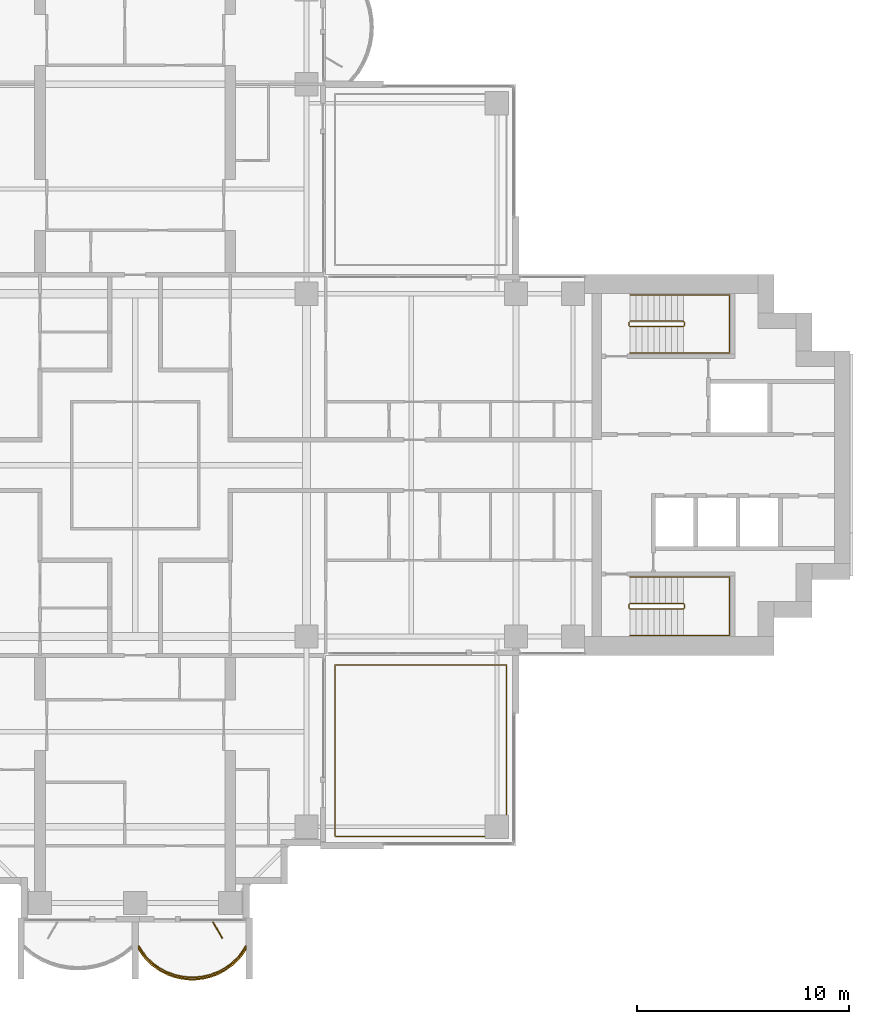
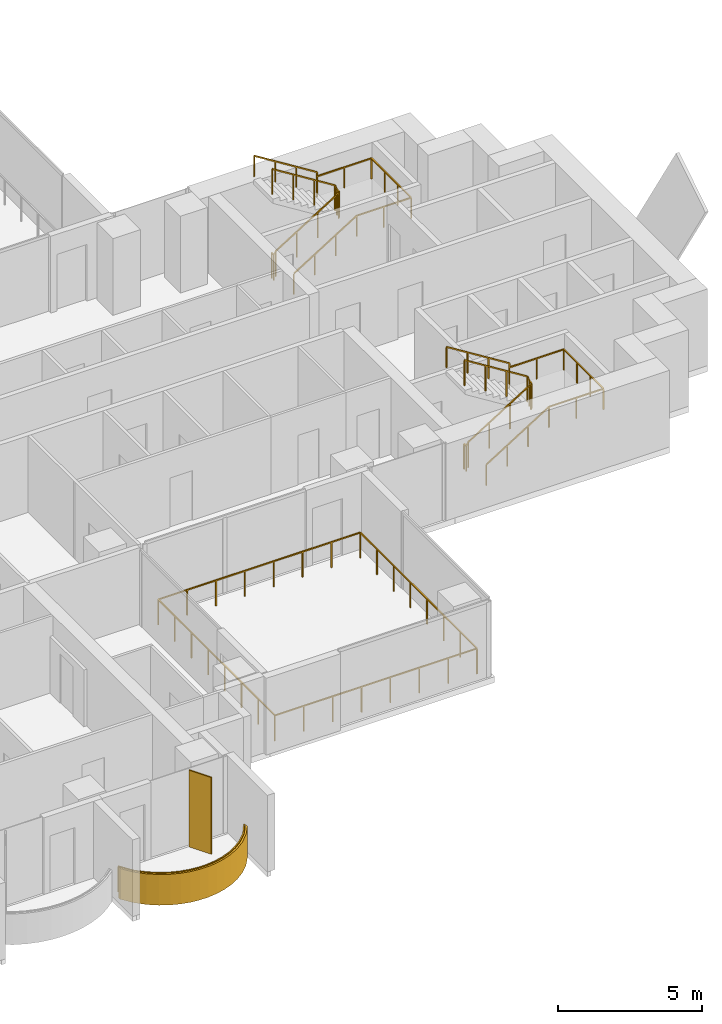
# One storey, part 16 of 18: 6 railings, 1 covering, 1 shading device.
"""IFC4 building model written with IfcOpenShell, lengths in metres."""

from ifc_helpers import new_model, si_unit, direction, frame, origin, origin_2d, place, context, subcontext, project, spatial, polyline, rectangle, outline, extrude, material, layer, layer_set, type_object, element, save


model = new_model("IFC4")

# Units and contexts
model_context = context("Model", 3, precision=1e-05, world=origin(), true_north=direction((0.0, 1.0)))
body_context = subcontext(model_context, "Body", "Model", "MODEL_VIEW")
ifc_project = project(units=[si_unit("LENGTHUNIT", "METRE"), si_unit("AREAUNIT", "SQUARE_METRE"), si_unit("VOLUMEUNIT", "CUBIC_METRE"), si_unit("PLANEANGLEUNIT", "RADIAN"), si_unit("MASSUNIT", "GRAM", prefix="KILO")], contexts=[model_context])

# Site, building, storey
site_placement = place(None, origin())
site = spatial("IfcSite", under=ifc_project, at=site_placement, CompositionType="ELEMENT")
building_placement = place(site_placement, origin())
building = spatial("IfcBuilding", under=site, at=building_placement, Name="Perihelion Cross Residences", CompositionType="ELEMENT")
storey_placement = place(building_placement, frame((0.0, 0.0, 133.89990234375)))
storey = spatial("IfcBuildingStorey", under=building, at=storey_placement, Name="L32", CompositionType="ELEMENT", Elevation=133.89990234375)

# Covering
ifc_material_1 = material(Name="Bronze anodised aluminium", Category="aluminium")
ifc_layer_1 = layer(ifc_material_1, 0.070068359375)
ifc_layer_set_1 = layer_set([ifc_layer_1], Name="Balcony fascia 1300")
covering_type = type_object("IfcCoveringType", Name="Balcony fascia 1300", PredefinedType="CLADDING", material=ifc_layer_set_1)
covering_placement = place(storey_placement, frame((0.0, 0.0, -0.199951171875)))
element("IfcCovering", 1, at=covering_placement, inside=storey, type_object=covering_type, Name="Fascia BF1 L32 south tip south bay 2", PredefinedType="CLADDING", context=body_context, shape_type="SweptSolid", body=[
    extrude(outline(polyline([(0.43701171875, -23.322509765625), (0.78515625, -23.66064453125), (1.13330078125, -23.90869140625), (1.4814453125, -24.091064453125), (1.82958984375, -24.22021484375), (2.177734375, -24.30322265625), (2.52587890625, -24.343994140625), (2.8740234375, -24.343994140625), (3.22216796875, -24.30322265625), (3.5703125, -24.22021484375), (3.91845703125, -24.091064453125), (4.2666015625, -23.90869140625), (4.61474609375, -23.66064453125), (4.963134765625, -23.322509765625), (5.25, -22.92041015625), (5.25, -22.800048828125), (4.909912109375, -23.27685546875), (4.570068359375, -23.60693359375), (4.22998046875, -23.84912109375), (3.889892578125, -24.027099609375), (3.550048828125, -24.1533203125), (3.2099609375, -24.234375), (2.8701171875, -24.274169921875), (2.530029296875, -24.274169921875), (2.18994140625, -24.234375), (1.85009765625, -24.1533203125), (1.510009765625, -24.027099609375), (1.169921875, -23.84912109375), (0.830078125, -23.60693359375), (0.489990234375, -23.27685546875), (0.14990234375, -22.800048828125), (0.14990234375, -22.92041015625), (0.43701171875, -23.322509765625)])), origin(), (0.0, 0.0, 1.0), 1.300048828125),
])

# Railings
ifc_material_2 = material(Name="Bronze anodised aluminium", Category="aluminium")
railing_type_1 = type_object("IfcRailingType", Name="Balcony guard 1100", PredefinedType="GUARDRAIL", material=ifc_material_2)
railing_1_placement = place(storey_placement, frame((0.175048828125, -22.739990234375, 0.0)))
element("IfcRailing", 2, at=railing_1_placement, inside=storey, type_object=railing_type_1, Name="Guard GU1 L32 south tip south bay 2 balcony", PredefinedType="GUARDRAIL", context=body_context, shape_type="SweptSolid", body=[
    extrude(rectangle(XDim=0.048095703125, YDim=0.048095703125, at=origin_2d()), frame((0.0, 0.0, 1.076171875), z_axis=(0.551145731138, -0.834409002258, 0.0), x_axis=(0.834409002258, 0.551145731138, 0.0)), (0.0, 0.0, 1.0), 0.571533203125),
    extrude(rectangle(XDim=0.048095703125, YDim=0.048095703125, at=origin_2d()), frame((0.31494140625, -0.476806640625, 1.076171875), z_axis=(0.717588263781, -0.696467575472, 0.0), x_axis=(0.696467575472, 0.717588263781, 0.0)), (0.0, 0.0, 1.0), 0.473876953125),
    extrude(rectangle(XDim=0.048095703125, YDim=0.048095703125, at=origin_2d()), frame((0.655029296875, -0.806884765625, 1.076171875), z_axis=(0.814365457194, -0.580352394782, 0.0), x_axis=(0.580352394782, 0.814365457194, 0.0)), (0.0, 0.0, 1.0), 0.417236328125),
    extrude(rectangle(XDim=0.048095703125, YDim=0.048095703125, at=origin_2d()), frame((0.994873046875, -1.049072265625, 1.076171875), z_axis=(0.885744400902, -0.464173304134, 0.0), x_axis=(0.464173304134, 0.885744400902, 0.0)), (0.0, 0.0, 1.0), 0.384033203125),
    extrude(rectangle(XDim=0.048095703125, YDim=0.048095703125, at=origin_2d()), frame((1.3349609375, -1.227294921875, 1.076171875), z_axis=(0.937732519052, -0.347358205191, 0.0), x_axis=(0.347358205191, 0.937732519052, 0.0)), (0.0, 0.0, 1.0), 0.362548828125),
    extrude(rectangle(XDim=0.048095703125, YDim=0.048095703125, at=origin_2d()), frame((1.675048828125, -1.353271484375, 1.076171875), z_axis=(0.972716168284, -0.231998396458, 0.0), x_axis=(0.231998396458, 0.972716168284, 0.0)), (0.0, 0.0, 1.0), 0.349365234375),
    extrude(rectangle(XDim=0.048095703125, YDim=0.048095703125, at=origin_2d()), frame((2.014892578125, -1.434326171875, 1.076171875), z_axis=(0.993223414934, -0.116220686744, 0.0), x_axis=(0.116220686744, 0.993223414934, 0.0)), (0.0, 0.0, 1.0), 0.342529296875),
    extrude(rectangle(XDim=0.048095703125, YDim=0.048095703125, at=origin_2d()), frame((2.35498046875, -1.47412109375, 1.076171875), z_axis=(1.0, 0.0, 0.0), x_axis=(0.0, 1.0, 0.0)), (0.0, 0.0, 1.0), 0.340087890625),
    extrude(rectangle(XDim=0.048095703125, YDim=0.048095703125, at=origin_2d()), frame((2.695068359375, -1.47412109375, 1.076171875), z_axis=(0.993213773886, 0.116303049672, 0.0), x_axis=(-0.116303049672, 0.993213773886, 0.0)), (0.0, 0.0, 1.0), 0.34228515625),
    extrude(rectangle(XDim=0.048095703125, YDim=0.048095703125, at=origin_2d()), frame((3.034912109375, -1.434326171875, 1.076171875), z_axis=(0.972753741142, 0.231840805498, 0.0), x_axis=(-0.231840805498, 0.972753741142, 0.0)), (0.0, 0.0, 1.0), 0.349609375),
    extrude(rectangle(XDim=0.048095703125, YDim=0.048095703125, at=origin_2d()), frame((3.375, -1.353271484375, 1.076171875), z_axis=(0.937651218339, 0.347577606798, 0.0), x_axis=(-0.347577606798, 0.937651218339, 0.0)), (0.0, 0.0, 1.0), 0.362548828125),
    extrude(rectangle(XDim=0.048095703125, YDim=0.048095703125, at=origin_2d()), frame((3.71484375, -1.227294921875, 1.076171875), z_axis=(0.885744400902, 0.464173304134, 0.0), x_axis=(-0.464173304134, 0.885744400902, 0.0)), (0.0, 0.0, 1.0), 0.384033203125),
    extrude(rectangle(XDim=0.048095703125, YDim=0.048095703125, at=origin_2d()), frame((4.054931640625, -1.049072265625, 1.076171875), z_axis=(0.814562360662, 0.580075995532, 0.0), x_axis=(-0.580075995532, 0.814562360662, 0.0)), (0.0, 0.0, 1.0), 0.41748046875),
    extrude(rectangle(XDim=0.048095703125, YDim=0.048095703125, at=origin_2d()), frame((4.39501953125, -0.806884765625, 1.076171875), z_axis=(0.71733824833, 0.696725080274, 0.0), x_axis=(-0.696725080274, 0.71733824833, 0.0)), (0.0, 0.0, 1.0), 0.473876953125),
    extrude(rectangle(XDim=0.048095703125, YDim=0.048095703125, at=origin_2d()), frame((4.73486328125, -0.476806640625, 1.076171875), z_axis=(0.55144309028, 0.834212513801, 0.0), x_axis=(-0.834212513801, 0.55144309028, 0.0)), (0.0, 0.0, 1.0), 0.571533203125),
    extrude(rectangle(XDim=0.0419921875, YDim=0.0419921875, at=origin_2d()), origin(), (0.0, 0.0, 1.0), 1.052001953125),
    extrude(rectangle(XDim=0.0419921875, YDim=0.0419921875, at=origin_2d()), frame((0.31494140625, -0.476806640625, 0.0)), (0.0, 0.0, 1.0), 1.052001953125),
    extrude(rectangle(XDim=0.0419921875, YDim=0.0419921875, at=origin_2d()), frame((0.655029296875, -0.806884765625, 0.0)), (0.0, 0.0, 1.0), 1.052001953125),
    extrude(rectangle(XDim=0.0419921875, YDim=0.0419921875, at=origin_2d()), frame((0.994873046875, -1.049072265625, 0.0)), (0.0, 0.0, 1.0), 1.052001953125),
    extrude(rectangle(XDim=0.0419921875, YDim=0.0419921875, at=origin_2d()), frame((1.3349609375, -1.227294921875, 0.0)), (0.0, 0.0, 1.0), 1.052001953125),
    extrude(rectangle(XDim=0.0419921875, YDim=0.0419921875, at=origin_2d()), frame((1.675048828125, -1.353271484375, 0.0)), (0.0, 0.0, 1.0), 1.052001953125),
    extrude(rectangle(XDim=0.0419921875, YDim=0.0419921875, at=origin_2d()), frame((2.014892578125, -1.434326171875, 0.0)), (0.0, 0.0, 1.0), 1.052001953125),
    extrude(rectangle(XDim=0.0419921875, YDim=0.0419921875, at=origin_2d()), frame((2.35498046875, -1.47412109375, 0.0)), (0.0, 0.0, 1.0), 1.052001953125),
    extrude(rectangle(XDim=0.0419921875, YDim=0.0419921875, at=origin_2d()), frame((2.695068359375, -1.47412109375, 0.0)), (0.0, 0.0, 1.0), 1.052001953125),
    extrude(rectangle(XDim=0.0419921875, YDim=0.0419921875, at=origin_2d()), frame((3.034912109375, -1.434326171875, 0.0)), (0.0, 0.0, 1.0), 1.052001953125),
    extrude(rectangle(XDim=0.0419921875, YDim=0.0419921875, at=origin_2d()), frame((3.375, -1.353271484375, 0.0)), (0.0, 0.0, 1.0), 1.052001953125),
    extrude(rectangle(XDim=0.0419921875, YDim=0.0419921875, at=origin_2d()), frame((3.71484375, -1.227294921875, 0.0)), (0.0, 0.0, 1.0), 1.052001953125),
    extrude(rectangle(XDim=0.0419921875, YDim=0.0419921875, at=origin_2d()), frame((4.054931640625, -1.049072265625, 0.0)), (0.0, 0.0, 1.0), 1.052001953125),
    extrude(rectangle(XDim=0.0419921875, YDim=0.0419921875, at=origin_2d()), frame((4.39501953125, -0.806884765625, 0.0)), (0.0, 0.0, 1.0), 1.052001953125),
    extrude(rectangle(XDim=0.0419921875, YDim=0.0419921875, at=origin_2d()), frame((4.73486328125, -0.476806640625, 0.0)), (0.0, 0.0, 1.0), 1.052001953125),
    extrude(rectangle(XDim=0.0419921875, YDim=0.0419921875, at=origin_2d()), frame((5.050048828125, 0.0, 0.0)), (0.0, 0.0, 1.0), 1.052001953125),
])
railing_2_placement = place(storey_placement, frame((17.550048828125, -17.550048828125, 0.0)))
element("IfcRailing", 3, at=railing_2_placement, inside=storey, type_object=railing_type_1, Name="Guard GU1 L32 pocket south-east 1", PredefinedType="GUARDRAIL", context=body_context, shape_type="SweptSolid", body=[
    extrude(rectangle(XDim=0.048095703125, YDim=0.048095703125, at=origin_2d()), frame((0.0, 0.0, 1.076171875), z_axis=(-1.0, 0.0, 0.0), x_axis=(0.0, -1.0, 0.0)), (0.0, 0.0, 1.0), 8.10009765625),
    extrude(rectangle(XDim=0.048095703125, YDim=0.048095703125, at=origin_2d()), frame((-8.10009765625, 0.0, 1.076171875), z_axis=(0.0, 1.0, 0.0), x_axis=(-1.0, 0.0, 0.0)), (0.0, 0.0, 1.0), 8.10009765625),
    extrude(rectangle(XDim=0.048095703125, YDim=0.048095703125, at=origin_2d()), frame((-8.10009765625, 8.10009765625, 1.076171875), z_axis=(1.0, 0.0, 0.0), x_axis=(0.0, 1.0, 0.0)), (0.0, 0.0, 1.0), 8.10009765625),
    extrude(rectangle(XDim=0.048095703125, YDim=0.048095703125, at=origin_2d()), frame((0.0, 8.10009765625, 1.076171875), z_axis=(0.0, -1.0, 0.0), x_axis=(1.0, 0.0, 0.0)), (0.0, 0.0, 1.0), 8.10009765625),
    extrude(rectangle(XDim=0.0419921875, YDim=0.0419921875, at=origin_2d()), origin(), (0.0, 0.0, 1.0), 1.052001953125),
    extrude(rectangle(XDim=0.0419921875, YDim=0.0419921875, at=origin_2d()), frame((-1.1572265625, 0.0, 0.0)), (0.0, 0.0, 1.0), 1.052001953125),
    extrude(rectangle(XDim=0.0419921875, YDim=0.0419921875, at=origin_2d()), frame((-2.314208984375, 0.0, 0.0)), (0.0, 0.0, 1.0), 1.052001953125),
    extrude(rectangle(XDim=0.0419921875, YDim=0.0419921875, at=origin_2d()), frame((-3.471435546875, 0.0, 0.0)), (0.0, 0.0, 1.0), 1.052001953125),
    extrude(rectangle(XDim=0.0419921875, YDim=0.0419921875, at=origin_2d()), frame((-4.628662109375, 0.0, 0.0)), (0.0, 0.0, 1.0), 1.052001953125),
    extrude(rectangle(XDim=0.0419921875, YDim=0.0419921875, at=origin_2d()), frame((-5.785888671875, 0.0, 0.0)), (0.0, 0.0, 1.0), 1.052001953125),
    extrude(rectangle(XDim=0.0419921875, YDim=0.0419921875, at=origin_2d()), frame((-6.94287109375, 0.0, 0.0)), (0.0, 0.0, 1.0), 1.052001953125),
    extrude(rectangle(XDim=0.0419921875, YDim=0.0419921875, at=origin_2d()), frame((-8.10009765625, 0.0, 0.0)), (0.0, 0.0, 1.0), 1.052001953125),
    extrude(rectangle(XDim=0.0419921875, YDim=0.0419921875, at=origin_2d()), frame((-8.10009765625, 1.1572265625, 0.0)), (0.0, 0.0, 1.0), 1.052001953125),
    extrude(rectangle(XDim=0.0419921875, YDim=0.0419921875, at=origin_2d()), frame((-8.10009765625, 2.314208984375, 0.0)), (0.0, 0.0, 1.0), 1.052001953125),
    extrude(rectangle(XDim=0.0419921875, YDim=0.0419921875, at=origin_2d()), frame((-8.10009765625, 3.471435546875, 0.0)), (0.0, 0.0, 1.0), 1.052001953125),
    extrude(rectangle(XDim=0.0419921875, YDim=0.0419921875, at=origin_2d()), frame((-8.10009765625, 4.628662109375, 0.0)), (0.0, 0.0, 1.0), 1.052001953125),
    extrude(rectangle(XDim=0.0419921875, YDim=0.0419921875, at=origin_2d()), frame((-8.10009765625, 5.785888671875, 0.0)), (0.0, 0.0, 1.0), 1.052001953125),
    extrude(rectangle(XDim=0.0419921875, YDim=0.0419921875, at=origin_2d()), frame((-8.10009765625, 6.94287109375, 0.0)), (0.0, 0.0, 1.0), 1.052001953125),
    extrude(rectangle(XDim=0.0419921875, YDim=0.0419921875, at=origin_2d()), frame((-8.10009765625, 8.10009765625, 0.0)), (0.0, 0.0, 1.0), 1.052001953125),
    extrude(rectangle(XDim=0.0419921875, YDim=0.0419921875, at=origin_2d()), frame((-6.94287109375, 8.10009765625, 0.0)), (0.0, 0.0, 1.0), 1.052001953125),
    extrude(rectangle(XDim=0.0419921875, YDim=0.0419921875, at=origin_2d()), frame((-5.785888671875, 8.10009765625, 0.0)), (0.0, 0.0, 1.0), 1.052001953125),
    extrude(rectangle(XDim=0.0419921875, YDim=0.0419921875, at=origin_2d()), frame((-4.628662109375, 8.10009765625, 0.0)), (0.0, 0.0, 1.0), 1.052001953125),
    extrude(rectangle(XDim=0.0419921875, YDim=0.0419921875, at=origin_2d()), frame((-3.471435546875, 8.10009765625, 0.0)), (0.0, 0.0, 1.0), 1.052001953125),
    extrude(rectangle(XDim=0.0419921875, YDim=0.0419921875, at=origin_2d()), frame((-2.314208984375, 8.10009765625, 0.0)), (0.0, 0.0, 1.0), 1.052001953125),
    extrude(rectangle(XDim=0.0419921875, YDim=0.0419921875, at=origin_2d()), frame((-1.1572265625, 8.10009765625, 0.0)), (0.0, 0.0, 1.0), 1.052001953125),
    extrude(rectangle(XDim=0.0419921875, YDim=0.0419921875, at=origin_2d()), frame((0.0, 8.10009765625, 0.0)), (0.0, 0.0, 1.0), 1.052001953125),
    extrude(rectangle(XDim=0.0419921875, YDim=0.0419921875, at=origin_2d()), frame((0.0, 6.94287109375, 0.0)), (0.0, 0.0, 1.0), 1.052001953125),
    extrude(rectangle(XDim=0.0419921875, YDim=0.0419921875, at=origin_2d()), frame((0.0, 5.785888671875, 0.0)), (0.0, 0.0, 1.0), 1.052001953125),
    extrude(rectangle(XDim=0.0419921875, YDim=0.0419921875, at=origin_2d()), frame((0.0, 4.628662109375, 0.0)), (0.0, 0.0, 1.0), 1.052001953125),
    extrude(rectangle(XDim=0.0419921875, YDim=0.0419921875, at=origin_2d()), frame((0.0, 3.471435546875, 0.0)), (0.0, 0.0, 1.0), 1.052001953125),
    extrude(rectangle(XDim=0.0419921875, YDim=0.0419921875, at=origin_2d()), frame((0.0, 2.314208984375, 0.0)), (0.0, 0.0, 1.0), 1.052001953125),
    extrude(rectangle(XDim=0.0419921875, YDim=0.0419921875, at=origin_2d()), frame((0.0, 1.1572265625, 0.0)), (0.0, 0.0, 1.0), 1.052001953125),
])

# Shading device
ifc_material_3 = material(Name="Bronze anodised aluminium", Category="aluminium")
ifc_layer_2 = layer(ifc_material_3, 0.050048828125)
ifc_layer_set_2 = layer_set([ifc_layer_2], Name="Bronze fin 900")
shading_device_type = type_object("IfcShadingDeviceType", Name="Bronze fin 900", PredefinedType="USERDEFINED", material=ifc_layer_set_2)
shading_device_placement = place(storey_placement, frame((3.89990234375, -21.98974609375, 0.0), z_axis=(0.0, 0.0, 1.0), x_axis=(0.5, -0.866025403784, 0.0)))
element("IfcShadingDevice", 4, at=shading_device_placement, inside=storey, type_object=shading_device_type, Name="Fin FN1 L32 south tip south bay 2", ObjectType="FIN", PredefinedType="USERDEFINED", context=body_context, shape_type="SweptSolid", body=[
    extrude(rectangle(XDim=0.89990234375, YDim=0.050048828125, at=origin_2d()), origin(), (0.0, 0.0, 1.0), 3.25),
])

# Railings
ifc_material_4 = material(Name="Stainless steel", Category="steel")
railing_type_2 = type_object("IfcRailingType", Name="Stair guard 1100", PredefinedType="GUARDRAIL", material=ifc_material_4)
railing_3_placement = place(storey_placement, frame((23.35009765625, 6.75, 0.0)))
element("IfcRailing", 5, at=railing_3_placement, inside=storey, type_object=railing_type_2, Name="L32 ST-E1 stair guard 1", PredefinedType="GUARDRAIL", context=body_context, shape_type="SweptSolid", body=[
    extrude(rectangle(XDim=0.048095703125, YDim=0.048095703125, at=origin_2d()), frame((0.0, 0.0, 1.076171875), z_axis=(0.0, -1.0, 0.0), x_axis=(1.0, 0.0, 0.0)), (0.0, 0.0, 1.0), 0.14990234375),
    extrude(rectangle(XDim=0.048095703125, YDim=0.048095703125, at=origin_2d()), frame((0.0, -0.14990234375, 1.076171875), z_axis=(0.263862480399, -0.265155923931, 0.927399011991), x_axis=(0.708833529934, 0.705375805398, 0.0)), (0.0, 0.0, 1.0), 0.188720703125),
    extrude(rectangle(XDim=0.048095703125, YDim=0.048095703125, at=origin_2d()), frame((0.0498046875, -0.199951171875, 1.2509765625), z_axis=(0.848007534815, 0.0, 0.529984170421), x_axis=(0.0, 1.0, 0.0)), (0.0, 0.0, 1.0), 2.9716796875),
    extrude(rectangle(XDim=0.048095703125, YDim=0.048095703125, at=origin_2d()), frame((2.56982421875, -0.199951171875, 2.826171875), z_axis=(0.707106781187, 0.707106781187, 0.0), x_axis=(-0.707106781187, 0.707106781187, 0.0)), (0.0, 0.0, 1.0), 0.07080078125),
    extrude(rectangle(XDim=0.048095703125, YDim=0.048095703125, at=origin_2d()), frame((2.619873046875, -0.14990234375, 2.826171875), z_axis=(0.0, 1.0, 0.0), x_axis=(-1.0, 0.0, 0.0)), (0.0, 0.0, 1.0), 0.14990234375),
    extrude(rectangle(XDim=0.048095703125, YDim=0.048095703125, at=origin_2d()), frame((2.619873046875, 0.0, 2.826171875), z_axis=(-0.265065253269, 0.265065253269, 0.927081885822), x_axis=(-0.707106781187, -0.707106781187, 0.0)), (0.0, 0.0, 1.0), 0.188720703125),
    extrude(rectangle(XDim=0.048095703125, YDim=0.048095703125, at=origin_2d()), frame((2.56982421875, 0.050048828125, 3.0009765625), z_axis=(-0.848007534815, 0.0, 0.529984170421), x_axis=(0.0, -1.0, 0.0)), (0.0, 0.0, 1.0), 2.9716796875),
    extrude(rectangle(XDim=0.0419921875, YDim=0.0419921875, at=origin_2d()), origin(), (0.0, 0.0, 1.0), 1.052001953125),
    extrude(rectangle(XDim=0.0419921875, YDim=0.0419921875, at=origin_2d()), frame((0.0, -0.14990234375, 0.0)), (0.0, 0.0, 1.0), 1.052001953125),
    extrude(rectangle(XDim=0.0419921875, YDim=0.0419921875, at=origin_2d()), frame((0.0498046875, -0.199951171875, 0.175048828125)), (0.0, 0.0, 1.0), 1.052001953125),
    extrude(rectangle(XDim=0.0419921875, YDim=0.0419921875, at=origin_2d()), frame((0.889892578125, -0.199951171875, 0.699951171875)), (0.0, 0.0, 1.0), 1.052001953125),
    extrude(rectangle(XDim=0.0419921875, YDim=0.0419921875, at=origin_2d()), frame((1.729736328125, -0.199951171875, 1.22509765625)), (0.0, 0.0, 1.0), 1.052001953125),
    extrude(rectangle(XDim=0.0419921875, YDim=0.0419921875, at=origin_2d()), frame((2.56982421875, -0.199951171875, 1.75)), (0.0, 0.0, 1.0), 1.052001953125),
    extrude(rectangle(XDim=0.0419921875, YDim=0.0419921875, at=origin_2d()), frame((2.619873046875, -0.14990234375, 1.75)), (0.0, 0.0, 1.0), 1.052001953125),
    extrude(rectangle(XDim=0.0419921875, YDim=0.0419921875, at=origin_2d()), frame((2.619873046875, 0.0, 1.75)), (0.0, 0.0, 1.0), 1.052001953125),
    extrude(rectangle(XDim=0.0419921875, YDim=0.0419921875, at=origin_2d()), frame((2.56982421875, 0.050048828125, 1.925048828125)), (0.0, 0.0, 1.0), 1.052001953125),
    extrude(rectangle(XDim=0.0419921875, YDim=0.0419921875, at=origin_2d()), frame((1.729736328125, 0.050048828125, 2.449951171875)), (0.0, 0.0, 1.0), 1.052001953125),
    extrude(rectangle(XDim=0.0419921875, YDim=0.0419921875, at=origin_2d()), frame((0.889892578125, 0.050048828125, 2.97509765625)), (0.0, 0.0, 1.0), 1.052001953125),
    extrude(rectangle(XDim=0.0419921875, YDim=0.0419921875, at=origin_2d()), frame((0.0498046875, 0.050048828125, 3.5)), (0.0, 0.0, 1.0), 1.052001953125),
])
railing_4_placement = place(storey_placement, frame((23.35009765625, -6.60009765625, 0.0)))
element("IfcRailing", 6, at=railing_4_placement, inside=storey, type_object=railing_type_2, Name="L32 ST-E2 stair guard 1", PredefinedType="GUARDRAIL", context=body_context, shape_type="SweptSolid", body=[
    extrude(rectangle(XDim=0.048095703125, YDim=0.048095703125, at=origin_2d()), frame((0.0, 0.0, 1.076171875), z_axis=(0.0, -1.0, 0.0), x_axis=(1.0, 0.0, 0.0)), (0.0, 0.0, 1.0), 0.14990234375),
    extrude(rectangle(XDim=0.048095703125, YDim=0.048095703125, at=origin_2d()), frame((0.0, -0.14990234375, 1.076171875), z_axis=(0.263862480399, -0.265155923931, 0.927399011991), x_axis=(0.708833529934, 0.705375805398, 0.0)), (0.0, 0.0, 1.0), 0.188720703125),
    extrude(rectangle(XDim=0.048095703125, YDim=0.048095703125, at=origin_2d()), frame((0.0498046875, -0.199951171875, 1.2509765625), z_axis=(0.848007534815, 0.0, 0.529984170421), x_axis=(0.0, 1.0, 0.0)), (0.0, 0.0, 1.0), 2.9716796875),
    extrude(rectangle(XDim=0.048095703125, YDim=0.048095703125, at=origin_2d()), frame((2.56982421875, -0.199951171875, 2.826171875), z_axis=(0.707106781187, 0.707106781187, 0.0), x_axis=(-0.707106781187, 0.707106781187, 0.0)), (0.0, 0.0, 1.0), 0.07080078125),
    extrude(rectangle(XDim=0.048095703125, YDim=0.048095703125, at=origin_2d()), frame((2.619873046875, -0.14990234375, 2.826171875), z_axis=(0.0, 1.0, 0.0), x_axis=(-1.0, 0.0, 0.0)), (0.0, 0.0, 1.0), 0.14990234375),
    extrude(rectangle(XDim=0.048095703125, YDim=0.048095703125, at=origin_2d()), frame((2.619873046875, 0.0, 2.826171875), z_axis=(-0.265065253269, 0.265065253269, 0.927081885822), x_axis=(-0.707106781187, -0.707106781187, 0.0)), (0.0, 0.0, 1.0), 0.188720703125),
    extrude(rectangle(XDim=0.048095703125, YDim=0.048095703125, at=origin_2d()), frame((2.56982421875, 0.050048828125, 3.0009765625), z_axis=(-0.848007534815, 0.0, 0.529984170421), x_axis=(0.0, -1.0, 0.0)), (0.0, 0.0, 1.0), 2.9716796875),
    extrude(rectangle(XDim=0.0419921875, YDim=0.0419921875, at=origin_2d()), origin(), (0.0, 0.0, 1.0), 1.052001953125),
    extrude(rectangle(XDim=0.0419921875, YDim=0.0419921875, at=origin_2d()), frame((0.0, -0.14990234375, 0.0)), (0.0, 0.0, 1.0), 1.052001953125),
    extrude(rectangle(XDim=0.0419921875, YDim=0.0419921875, at=origin_2d()), frame((0.0498046875, -0.199951171875, 0.175048828125)), (0.0, 0.0, 1.0), 1.052001953125),
    extrude(rectangle(XDim=0.0419921875, YDim=0.0419921875, at=origin_2d()), frame((0.889892578125, -0.199951171875, 0.699951171875)), (0.0, 0.0, 1.0), 1.052001953125),
    extrude(rectangle(XDim=0.0419921875, YDim=0.0419921875, at=origin_2d()), frame((1.729736328125, -0.199951171875, 1.22509765625)), (0.0, 0.0, 1.0), 1.052001953125),
    extrude(rectangle(XDim=0.0419921875, YDim=0.0419921875, at=origin_2d()), frame((2.56982421875, -0.199951171875, 1.75)), (0.0, 0.0, 1.0), 1.052001953125),
    extrude(rectangle(XDim=0.0419921875, YDim=0.0419921875, at=origin_2d()), frame((2.619873046875, -0.14990234375, 1.75)), (0.0, 0.0, 1.0), 1.052001953125),
    extrude(rectangle(XDim=0.0419921875, YDim=0.0419921875, at=origin_2d()), frame((2.619873046875, 0.0, 1.75)), (0.0, 0.0, 1.0), 1.052001953125),
    extrude(rectangle(XDim=0.0419921875, YDim=0.0419921875, at=origin_2d()), frame((2.56982421875, 0.050048828125, 1.925048828125)), (0.0, 0.0, 1.0), 1.052001953125),
    extrude(rectangle(XDim=0.0419921875, YDim=0.0419921875, at=origin_2d()), frame((1.729736328125, 0.050048828125, 2.449951171875)), (0.0, 0.0, 1.0), 1.052001953125),
    extrude(rectangle(XDim=0.0419921875, YDim=0.0419921875, at=origin_2d()), frame((0.889892578125, 0.050048828125, 2.97509765625)), (0.0, 0.0, 1.0), 1.052001953125),
    extrude(rectangle(XDim=0.0419921875, YDim=0.0419921875, at=origin_2d()), frame((0.0498046875, 0.050048828125, 3.5)), (0.0, 0.0, 1.0), 1.052001953125),
])
ifc_material_5 = material(Name="Stainless steel", Category="steel")
railing_type_3 = type_object("IfcRailingType", Name="Stair handrail 900", PredefinedType="HANDRAIL", material=ifc_material_5)
railing_5_placement = place(storey_placement, frame((23.39990234375, 5.300048828125, 0.175048828125)))
element("IfcRailing", 7, at=railing_5_placement, inside=storey, type_object=railing_type_3, Name="L32 ST-E1 stair handrail 1", PredefinedType="HANDRAIL", context=body_context, shape_type="SweptSolid", body=[
    extrude(rectangle(XDim=0.048095703125, YDim=0.048095703125, at=origin_2d()), frame((0.0, 0.0, 0.8759765625), z_axis=(0.848007534815, 0.0, 0.529984170421), x_axis=(0.0, 1.0, 0.0)), (0.0, 0.0, 1.0), 2.9716796875),
    extrude(rectangle(XDim=0.048095703125, YDim=0.048095703125, at=origin_2d()), frame((2.52001953125, 0.0, 2.45068359375), z_axis=(1.0, 0.0, 0.0), x_axis=(0.0, 1.0, 0.0)), (0.0, 0.0, 1.0), 2.18017578125),
    extrude(rectangle(XDim=0.048095703125, YDim=0.048095703125, at=origin_2d()), frame((4.7001953125, 0.0, 2.45068359375), z_axis=(0.0, 1.0, 0.0), x_axis=(-1.0, 0.0, 0.0)), (0.0, 0.0, 1.0), 2.75),
    extrude(rectangle(XDim=0.048095703125, YDim=0.048095703125, at=origin_2d()), frame((4.7001953125, 2.75, 2.45068359375), z_axis=(-1.0, 0.0, 0.0), x_axis=(0.0, -1.0, 0.0)), (0.0, 0.0, 1.0), 2.18017578125),
    extrude(rectangle(XDim=0.048095703125, YDim=0.048095703125, at=origin_2d()), frame((2.52001953125, 2.75, 2.45068359375), z_axis=(0.0, 0.0, 1.0), x_axis=(1.0, 0.0, 0.0)), (0.0, 0.0, 1.0), 0.175048828125),
    extrude(rectangle(XDim=0.048095703125, YDim=0.048095703125, at=origin_2d()), frame((2.52001953125, 2.75, 2.6259765625), z_axis=(-0.848007534815, 0.0, 0.529984170421), x_axis=(0.0, -1.0, 0.0)), (0.0, 0.0, 1.0), 2.9716796875),
    extrude(rectangle(XDim=0.0419921875, YDim=0.0419921875, at=origin_2d()), origin(), (0.0, 0.0, 1.0), 0.851806640625),
    extrude(rectangle(XDim=0.0419921875, YDim=0.0419921875, at=origin_2d()), frame((0.840087890625, 0.0, 0.52490234375)), (0.0, 0.0, 1.0), 0.851806640625),
    extrude(rectangle(XDim=0.0419921875, YDim=0.0419921875, at=origin_2d()), frame((1.679931640625, 0.0, 1.050048828125)), (0.0, 0.0, 1.0), 0.851806640625),
    extrude(rectangle(XDim=0.0419921875, YDim=0.0419921875, at=origin_2d()), frame((2.52001953125, 0.0, 1.574951171875)), (0.0, 0.0, 1.0), 0.851806640625),
    extrude(rectangle(XDim=0.0419921875, YDim=0.0419921875, at=origin_2d()), frame((3.610107421875, 0.0, 1.574951171875)), (0.0, 0.0, 1.0), 0.851806640625),
    extrude(rectangle(XDim=0.0419921875, YDim=0.0419921875, at=origin_2d()), frame((4.7001953125, 0.0, 1.574951171875)), (0.0, 0.0, 1.0), 0.851806640625),
    extrude(rectangle(XDim=0.0419921875, YDim=0.0419921875, at=origin_2d()), frame((4.7001953125, 0.916748046875, 1.574951171875)), (0.0, 0.0, 1.0), 0.851806640625),
    extrude(rectangle(XDim=0.0419921875, YDim=0.0419921875, at=origin_2d()), frame((4.7001953125, 1.833251953125, 1.574951171875)), (0.0, 0.0, 1.0), 0.851806640625),
    extrude(rectangle(XDim=0.0419921875, YDim=0.0419921875, at=origin_2d()), frame((4.7001953125, 2.75, 1.574951171875)), (0.0, 0.0, 1.0), 0.851806640625),
    extrude(rectangle(XDim=0.0419921875, YDim=0.0419921875, at=origin_2d()), frame((3.610107421875, 2.75, 1.574951171875)), (0.0, 0.0, 1.0), 0.851806640625),
    extrude(rectangle(XDim=0.0419921875, YDim=0.0419921875, at=origin_2d()), frame((2.52001953125, 2.75, 1.574951171875)), (0.0, 0.0, 1.0), 0.851806640625),
    extrude(rectangle(XDim=0.0419921875, YDim=0.0419921875, at=origin_2d()), frame((2.52001953125, 2.75, 1.75)), (0.0, 0.0, 1.0), 0.851806640625),
    extrude(rectangle(XDim=0.0419921875, YDim=0.0419921875, at=origin_2d()), frame((1.679931640625, 2.75, 2.27490234375)), (0.0, 0.0, 1.0), 0.851806640625),
    extrude(rectangle(XDim=0.0419921875, YDim=0.0419921875, at=origin_2d()), frame((0.840087890625, 2.75, 2.800048828125)), (0.0, 0.0, 1.0), 0.851806640625),
    extrude(rectangle(XDim=0.0419921875, YDim=0.0419921875, at=origin_2d()), frame((0.0, 2.75, 3.324951171875)), (0.0, 0.0, 1.0), 0.851806640625),
])
railing_6_placement = place(storey_placement, frame((23.39990234375, -8.050048828125, 0.175048828125)))
element("IfcRailing", 8, at=railing_6_placement, inside=storey, type_object=railing_type_3, Name="L32 ST-E2 stair handrail 1", PredefinedType="HANDRAIL", context=body_context, shape_type="SweptSolid", body=[
    extrude(rectangle(XDim=0.048095703125, YDim=0.048095703125, at=origin_2d()), frame((0.0, 0.0, 0.8759765625), z_axis=(0.848007534815, 0.0, 0.529984170421), x_axis=(0.0, 1.0, 0.0)), (0.0, 0.0, 1.0), 2.9716796875),
    extrude(rectangle(XDim=0.048095703125, YDim=0.048095703125, at=origin_2d()), frame((2.52001953125, 0.0, 2.45068359375), z_axis=(1.0, 0.0, 0.0), x_axis=(0.0, 1.0, 0.0)), (0.0, 0.0, 1.0), 2.18017578125),
    extrude(rectangle(XDim=0.048095703125, YDim=0.048095703125, at=origin_2d()), frame((4.7001953125, 0.0, 2.45068359375), z_axis=(0.0, 1.0, 0.0), x_axis=(-1.0, 0.0, 0.0)), (0.0, 0.0, 1.0), 2.75),
    extrude(rectangle(XDim=0.048095703125, YDim=0.048095703125, at=origin_2d()), frame((4.7001953125, 2.75, 2.45068359375), z_axis=(-1.0, 0.0, 0.0), x_axis=(0.0, -1.0, 0.0)), (0.0, 0.0, 1.0), 2.18017578125),
    extrude(rectangle(XDim=0.048095703125, YDim=0.048095703125, at=origin_2d()), frame((2.52001953125, 2.75, 2.45068359375), z_axis=(0.0, 0.0, 1.0), x_axis=(1.0, 0.0, 0.0)), (0.0, 0.0, 1.0), 0.175048828125),
    extrude(rectangle(XDim=0.048095703125, YDim=0.048095703125, at=origin_2d()), frame((2.52001953125, 2.75, 2.6259765625), z_axis=(-0.848007534815, 0.0, 0.529984170421), x_axis=(0.0, -1.0, 0.0)), (0.0, 0.0, 1.0), 2.9716796875),
    extrude(rectangle(XDim=0.0419921875, YDim=0.0419921875, at=origin_2d()), origin(), (0.0, 0.0, 1.0), 0.851806640625),
    extrude(rectangle(XDim=0.0419921875, YDim=0.0419921875, at=origin_2d()), frame((0.840087890625, 0.0, 0.52490234375)), (0.0, 0.0, 1.0), 0.851806640625),
    extrude(rectangle(XDim=0.0419921875, YDim=0.0419921875, at=origin_2d()), frame((1.679931640625, 0.0, 1.050048828125)), (0.0, 0.0, 1.0), 0.851806640625),
    extrude(rectangle(XDim=0.0419921875, YDim=0.0419921875, at=origin_2d()), frame((2.52001953125, 0.0, 1.574951171875)), (0.0, 0.0, 1.0), 0.851806640625),
    extrude(rectangle(XDim=0.0419921875, YDim=0.0419921875, at=origin_2d()), frame((3.610107421875, 0.0, 1.574951171875)), (0.0, 0.0, 1.0), 0.851806640625),
    extrude(rectangle(XDim=0.0419921875, YDim=0.0419921875, at=origin_2d()), frame((4.7001953125, 0.0, 1.574951171875)), (0.0, 0.0, 1.0), 0.851806640625),
    extrude(rectangle(XDim=0.0419921875, YDim=0.0419921875, at=origin_2d()), frame((4.7001953125, 0.916748046875, 1.574951171875)), (0.0, 0.0, 1.0), 0.851806640625),
    extrude(rectangle(XDim=0.0419921875, YDim=0.0419921875, at=origin_2d()), frame((4.7001953125, 1.833251953125, 1.574951171875)), (0.0, 0.0, 1.0), 0.851806640625),
    extrude(rectangle(XDim=0.0419921875, YDim=0.0419921875, at=origin_2d()), frame((4.7001953125, 2.75, 1.574951171875)), (0.0, 0.0, 1.0), 0.851806640625),
    extrude(rectangle(XDim=0.0419921875, YDim=0.0419921875, at=origin_2d()), frame((3.610107421875, 2.75, 1.574951171875)), (0.0, 0.0, 1.0), 0.851806640625),
    extrude(rectangle(XDim=0.0419921875, YDim=0.0419921875, at=origin_2d()), frame((2.52001953125, 2.75, 1.574951171875)), (0.0, 0.0, 1.0), 0.851806640625),
    extrude(rectangle(XDim=0.0419921875, YDim=0.0419921875, at=origin_2d()), frame((2.52001953125, 2.75, 1.75)), (0.0, 0.0, 1.0), 0.851806640625),
    extrude(rectangle(XDim=0.0419921875, YDim=0.0419921875, at=origin_2d()), frame((1.679931640625, 2.75, 2.27490234375)), (0.0, 0.0, 1.0), 0.851806640625),
    extrude(rectangle(XDim=0.0419921875, YDim=0.0419921875, at=origin_2d()), frame((0.840087890625, 2.75, 2.800048828125)), (0.0, 0.0, 1.0), 0.851806640625),
    extrude(rectangle(XDim=0.0419921875, YDim=0.0419921875, at=origin_2d()), frame((0.0, 2.75, 3.324951171875)), (0.0, 0.0, 1.0), 0.851806640625),
])

save(model, "model.ifc")
